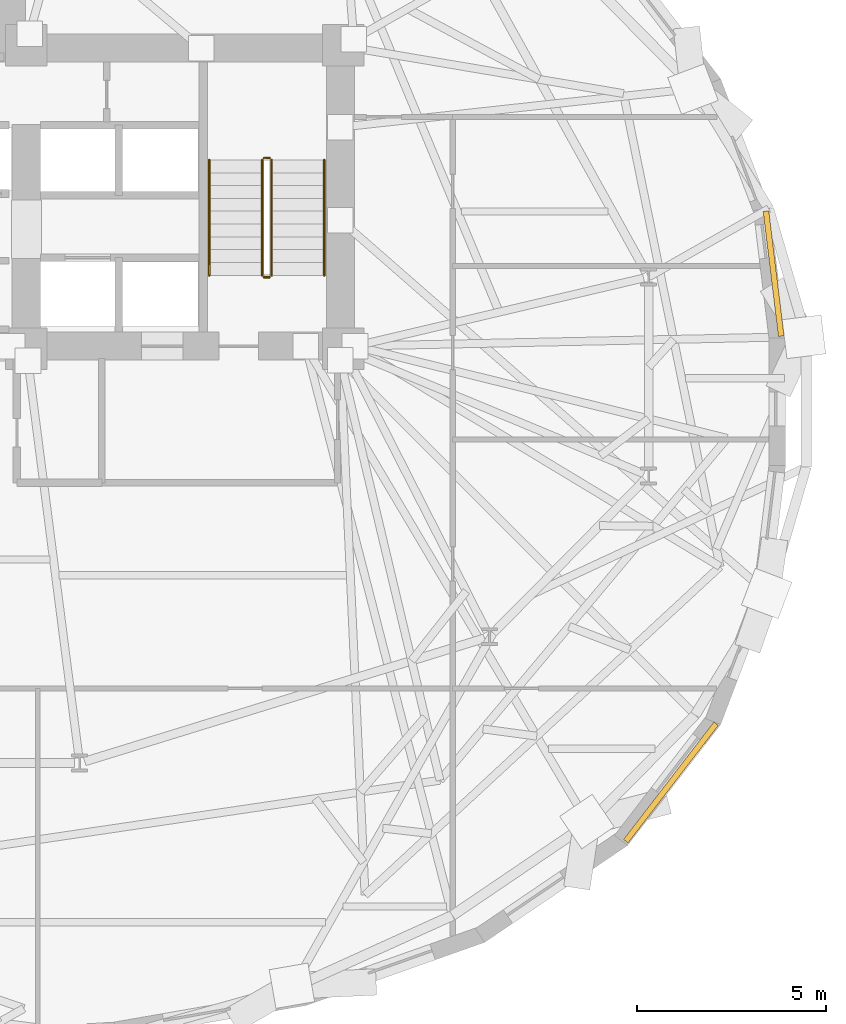
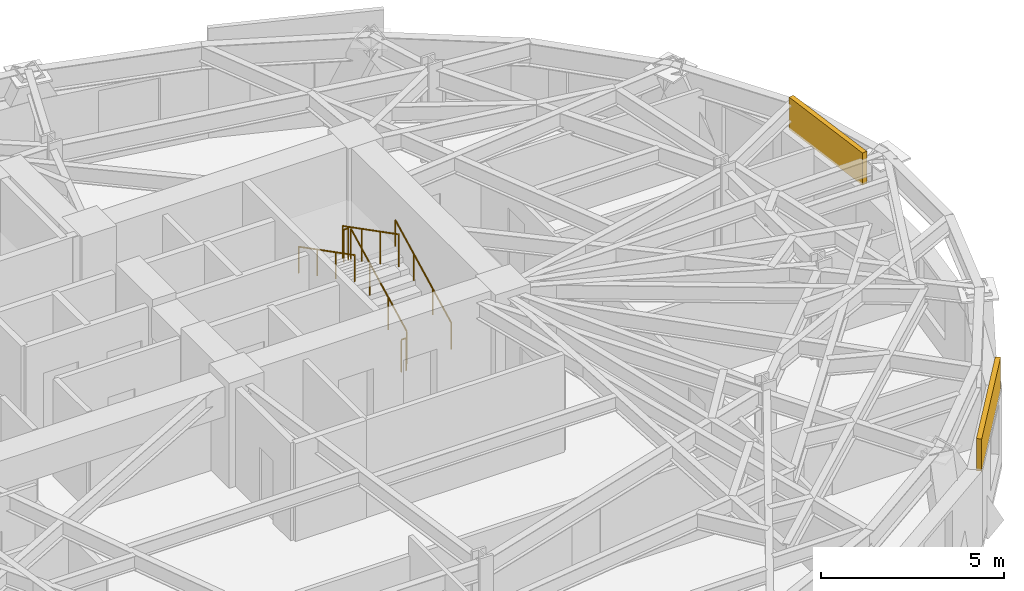
# One storey, part 12 of 13: 6 railings, 2 coverings.
"""IFC4 building model written with IfcOpenShell, lengths in metres."""

import ifcopenshell
import ifcopenshell.guid

model = None  # the IFC model being written
_history = None  # IfcOwnerHistory: only IFC2X3 demands one
_inside = {}  # id of a spatial element -> (the spatial element, [elements in it])
_under = {}  # id of a project, library or spatial element -> (it, [spatial elements below it])
_declared = {}  # id of a project -> (the project, [libraries it declares])
_typed = {}  # id of a type object -> (the type object, [elements of that type])
_made_of = {}  # id of a material, layer set ... -> (it, [elements and type objects made of it])


def new_model(schema):
    """Start an empty IFC model of exactly this schema.

    Asked for "IFC4X3", IfcOpenShell would pick the latest addendum, in which some entities
    have other attributes; the version numbers below select the first issue.
    IFC2X3 requires an IfcOwnerHistory on every rooted entity: one is made here for all.
    """
    global model, _history
    if schema == "IFC4X3":
        model = ifcopenshell.file(schema_version=(4, 3, 0, 0))
    else:
        model = ifcopenshell.file(schema=schema)
    _inside.clear()
    _under.clear()
    _declared.clear()
    _typed.clear()
    _made_of.clear()
    _history = None
    if model.schema == "IFC2X3":
        org = make("IfcOrganization", Name="unknown")
        user = make(
            "IfcPersonAndOrganization",
            ThePerson=make("IfcPerson", FamilyName="unknown"),
            TheOrganization=org,
        )
        app = make(
            "IfcApplication",
            ApplicationDeveloper=org,
            Version="unknown",
            ApplicationFullName="unknown",
            ApplicationIdentifier="unknown",
        )
        _history = make(
            "IfcOwnerHistory",
            OwningUser=user,
            OwningApplication=app,
            ChangeAction="ADDED",
            CreationDate=0,
        )
    return model


def make(cls, **values):
    """One entity of the class cls with the attributes given. An attribute that is None is left unset."""
    return model.create_entity(
        cls, **{name: value for name, value in values.items() if value is not None}
    )


def rooted(cls, **values):
    """An entity with a GlobalId (a new one), such as an element, a storey or a relation."""
    return make(cls, GlobalId=ifcopenshell.guid.new(), OwnerHistory=_history, **values)


def si_unit(unit_type, name, prefix=None):
    """IfcSIUnit, for example si_unit("LENGTHUNIT", "METRE", prefix="MILLI")."""
    return make("IfcSIUnit", UnitType=unit_type, Prefix=prefix, Name=name)


def assignment(units):
    """IfcUnitAssignment: the units of a project."""
    return None if units is None else make("IfcUnitAssignment", Units=units)


def point(xyz):
    """IfcCartesianPoint."""
    return None if xyz is None else make("IfcCartesianPoint", Coordinates=xyz)


def direction(xyz):
    """IfcDirection."""
    return None if xyz is None else make("IfcDirection", DirectionRatios=xyz)


def frame(location, z_axis=None, x_axis=None):
    """IfcAxis2Placement3D, a coordinate frame: its origin and axes. An axis left out is left unset."""
    return make(
        "IfcAxis2Placement3D",
        Location=point(location),
        Axis=direction(z_axis),
        RefDirection=direction(x_axis),
    )


def frame_2d(location, x_axis=None):
    """IfcAxis2Placement2D, a coordinate frame in the plane: its origin and x axis."""
    return make(
        "IfcAxis2Placement2D", Location=point(location), RefDirection=direction(x_axis)
    )


def origin():
    """The frame at (0, 0, 0) with its axes left unset."""
    return frame((0.0, 0.0, 0.0))


def origin_2d():
    """The frame at (0, 0) in the plane with its x axis left unset."""
    return frame_2d((0.0, 0.0))


def place(relative_to, where):
    """IfcLocalPlacement: puts the frame where relative to a parent placement (None: the world)."""
    return make(
        "IfcLocalPlacement", PlacementRelTo=relative_to, RelativePlacement=where
    )


def context(
    kind, dimensions, precision=None, world=None, true_north=None, identifier=None
):
    """IfcGeometricRepresentationContext, for example the 3D "Model" context."""
    return make(
        "IfcGeometricRepresentationContext",
        ContextIdentifier=identifier,
        ContextType=kind,
        CoordinateSpaceDimension=dimensions,
        Precision=precision,
        WorldCoordinateSystem=world,
        TrueNorth=true_north,
    )


def subcontext(parent, identifier, kind, view, scale=None):
    """IfcGeometricRepresentationSubContext, for example "Body" below "Model"."""
    return make(
        "IfcGeometricRepresentationSubContext",
        ContextIdentifier=identifier,
        ContextType=kind,
        ParentContext=parent,
        TargetScale=scale,
        TargetView=view,
    )


def project(units=None, contexts=None):
    """IfcProject with its units and contexts."""
    return rooted(
        "IfcProject",
        Name="project",
        RepresentationContexts=contexts,
        UnitsInContext=assignment(units),
    )


def spatial(cls, under=None, at=None, **own):
    """A site, building, storey or space (cls), placed at a placement, below another one or the project."""
    s = rooted(cls, ObjectPlacement=at, **own)
    if under is not None:
        _under.setdefault(under.id(), (under, []))[1].append(s)
    return s


def profile(cls, at=None, kind="AREA", **sizes):
    """A parametric profile (cls). Its sizes go by their IFC names, for example OverallWidth=200.0."""
    return make(cls, ProfileType=kind, Position=at, **sizes)


def rectangle(**sizes):
    """IfcRectangleProfileDef."""
    return profile("IfcRectangleProfileDef", **sizes)


def circle(**sizes):
    """IfcCircleProfileDef."""
    return profile("IfcCircleProfileDef", **sizes)


def extrude(swept, where, along, depth):
    """IfcExtrudedAreaSolid: the profile swept, set in the frame where, extruded along a direction by depth."""
    return make(
        "IfcExtrudedAreaSolid",
        SweptArea=swept,
        Position=where,
        ExtrudedDirection=direction(along),
        Depth=depth,
    )


def shape(context_of_items, identifier, shape_type, items):
    """IfcShapeRepresentation: the items that make up one representation, for example the "Body"."""
    return make(
        "IfcShapeRepresentation",
        ContextOfItems=context_of_items,
        RepresentationIdentifier=identifier,
        RepresentationType=shape_type,
        Items=items,
    )


def material(Name=None, Category=None):
    """IfcMaterial."""
    return make("IfcMaterial", Name=Name, Category=Category)


def layer(
    of_material, thickness, ventilated=None, Name=None, Category=None, Priority=None
):
    """IfcMaterialLayer: one layer of a wall or slab, of a material (None: an air gap)."""
    return make(
        "IfcMaterialLayer",
        Material=of_material,
        LayerThickness=thickness,
        IsVentilated=ventilated,
        Name=Name,
        Category=Category,
        Priority=Priority,
    )


def layer_set(layers, Name=None):
    """IfcMaterialLayerSet."""
    return make("IfcMaterialLayerSet", MaterialLayers=layers, LayerSetName=Name)


def made_of(thing, what):
    """Note that an element or type object is made of a material, layer set ...; save() writes the relation."""
    if what is not None:
        _made_of.setdefault(what.id(), (what, []))[1].append(thing)
    return thing


def type_object(cls, material=None, **own):
    """A type object (cls), such as IfcWallType, which elements share."""
    return made_of(rooted(cls, **own), material)


def element(
    cls,
    number,
    at=None,
    inside=None,
    cuts=None,
    type_object=None,
    material=None,
    context=None,
    identifier="Body",
    shape_type=None,
    held_by="IfcProductDefinitionShape",
    body=None,
    shapes=None,
    **own,
):
    """One element of the class cls, such as IfcWall. Its Tag is "e" and its number.

    at: its placement. inside: the storey or other place that contains it. cuts: it is an
    opening in that element (IfcRelVoidsElement). A single representation is given by context,
    identifier, shape_type and body (its items); several are given by shapes. held_by: the class
    of the entity that holds the representations. save() writes the other relations.
    """
    e = rooted(cls, Tag="e%d" % number, ObjectPlacement=at, **own)
    if body is not None:
        shapes = [shape(context, identifier, shape_type, body)]
    if shapes is not None:
        e.Representation = make(held_by, Representations=shapes)
    if inside is not None:
        _inside.setdefault(inside.id(), (inside, []))[1].append(e)
    if cuts is not None:
        rooted(
            "IfcRelVoidsElement", RelatingBuildingElement=cuts, RelatedOpeningElement=e
        )
    if type_object is not None:
        _typed.setdefault(type_object.id(), (type_object, []))[1].append(e)
    return made_of(e, material)


def aggregate(whole, parts):
    """IfcRelAggregates: a whole, such as a stair, and the parts it consists of."""
    return rooted("IfcRelAggregates", RelatingObject=whole, RelatedObjects=parts)


def save(model, path):
    """Write the relations noted so far, then the file.

    IfcRelAggregates (storeys below a building ...), IfcRelContainedInSpatialStructure (elements
    in a storey), IfcRelDefinesByType, IfcRelAssociatesMaterial and IfcRelDeclares: one each for
    every whole, place, type object, material and project.
    """
    for whole, parts in _under.values():
        aggregate(whole, parts)
    for where, things in _inside.values():
        rooted(
            "IfcRelContainedInSpatialStructure",
            RelatedElements=things,
            RelatingStructure=where,
        )
    for kind, things in _typed.values():
        rooted("IfcRelDefinesByType", RelatedObjects=things, RelatingType=kind)
    for what, things in _made_of.values():
        rooted("IfcRelAssociatesMaterial", RelatedObjects=things, RelatingMaterial=what)
    for by, libraries in _declared.values():
        rooted("IfcRelDeclares", RelatingContext=by, RelatedDefinitions=libraries)
    model.write(path)


model = new_model("IFC4")

# Units and contexts
model_context = context("Model", 3, precision=1e-05, world=origin(), true_north=direction((0.0, 1.0)))
body_context = subcontext(model_context, "Body", "Model", "MODEL_VIEW")
ifc_project = project(units=[si_unit("LENGTHUNIT", "METRE"), si_unit("AREAUNIT", "SQUARE_METRE"), si_unit("VOLUMEUNIT", "CUBIC_METRE"), si_unit("PLANEANGLEUNIT", "RADIAN"), si_unit("MASSUNIT", "GRAM", prefix="KILO")], contexts=[model_context])

# Site, building, storey
site_placement = place(None, origin())
site = spatial("IfcSite", under=ifc_project, at=site_placement, CompositionType="ELEMENT")
building_placement = place(site_placement, origin())
building = spatial("IfcBuilding", under=site, at=building_placement, Name="Keldmark Tower", CompositionType="ELEMENT")
storey_placement = place(building_placement, frame((0.0, 0.0, 131.60009765625)))
storey = spatial("IfcBuildingStorey", under=building, at=storey_placement, Name="L35", CompositionType="ELEMENT", Elevation=131.60009765625)

# Coverings
ifc_material_1 = material(Name="Honed Kasota Buff Dolomitic Limestone", Category="masonry")
ifc_layer = layer(ifc_material_1, 0.074951171875)
ifc_layer_set = layer_set([ifc_layer], Name="Honed Kasota Buff Dolomitic Limestone")
covering_type = type_object("IfcCoveringType", Name="Kasota Buff Limestone Spandrel Cladding Band", PredefinedType="CLADDING", material=ifc_layer_set)
covering_1_placement = place(storey_placement, frame((25.009521484375, 3.39404296875, 2.40185546875), z_axis=(0.0, 0.0, 1.0), x_axis=(-0.121124411626, 0.992637334029, 0.0)))
element("IfcCovering", 1, at=covering_1_placement, inside=storey, type_object=covering_type, Name="L35 Kasota Limestone Spandrel Band 01", PredefinedType="CLADDING", context=body_context, shape_type="SweptSolid", body=[
    extrude(rectangle(XDim=3.33740234375, YDim=0.14990234375, at=origin_2d()), origin(), (0.0, 0.0, 1.0), 1.077880859375),
])
covering_2_placement = place(storey_placement, frame((22.287841796875, -10.093017578125, 2.40185546875), z_axis=(0.0, 0.0, 1.0), x_axis=(0.609716404666, 0.792619647675, 0.0)))
element("IfcCovering", 2, at=covering_2_placement, inside=storey, type_object=covering_type, Name="L35 Kasota Limestone Spandrel Band 29", PredefinedType="CLADDING", context=body_context, shape_type="SweptSolid", body=[
    extrude(rectangle(XDim=3.927001953125, YDim=0.14990234375, at=origin_2d()), origin(), (0.0, 0.0, 1.0), 1.077880859375),
])

# Railings
ifc_material_2 = material(Name="Painted Steel ASTM A500 Grade B", Category="steel")
railing_type_1 = type_object("IfcRailingType", Name="Painted Steel Stair Well Guard 1100 mm", PredefinedType="GUARDRAIL", material=ifc_material_2)
railing_1_placement = place(storey_placement, frame((11.699951171875, 3.35009765625, 0.1748046875)))
element("IfcRailing", 3, at=railing_1_placement, inside=storey, type_object=railing_type_1, Name="L35 ST2 stair guard 1", PredefinedType="GUARDRAIL", context=body_context, shape_type="SweptSolid", body=[
    extrude(circle(Radius=0.02392578125, at=origin_2d()), frame((0.0, 0.0, 1.076171875), z_axis=(0.0, 0.889101422983, 0.457710235465), x_axis=(-1.0, 0.0, 0.0)), (0.0, 0.0, 1.0), 3.44140625),
    extrude(circle(Radius=0.02099609375, at=origin_2d()), origin(), (0.0, 0.0, 1.0), 1.052001953125),
    extrude(circle(Radius=0.02099609375, at=origin_2d()), frame((0.0, 1.02001953125, 0.525146484375)), (0.0, 0.0, 1.0), 1.052001953125),
    extrude(circle(Radius=0.02099609375, at=origin_2d()), frame((0.0, 2.039794921875, 1.050048828125)), (0.0, 0.0, 1.0), 1.052001953125),
    extrude(circle(Radius=0.02099609375, at=origin_2d()), frame((0.0, 3.059814453125, 1.5751953125)), (0.0, 0.0, 1.0), 1.052001953125),
])
railing_2_placement = place(storey_placement, frame((11.64990234375, 6.4599609375, 1.75)))
element("IfcRailing", 4, at=railing_2_placement, inside=storey, type_object=railing_type_1, Name="L35 ST2 stair guard 2", PredefinedType="GUARDRAIL", context=body_context, shape_type="SweptSolid", body=[
    extrude(circle(Radius=0.02392578125, at=origin_2d()), frame((0.0, 0.0, 1.076171875), z_axis=(-1.0, 0.0, 0.0), x_axis=(0.0, -1.0, 0.0)), (0.0, 0.0, 1.0), 0.14990234375),
    extrude(circle(Radius=0.02099609375, at=origin_2d()), origin(), (0.0, 0.0, 1.0), 1.052001953125),
    extrude(circle(Radius=0.02099609375, at=origin_2d()), frame((-0.14990234375, 0.0, 0.0)), (0.0, 0.0, 1.0), 1.052001953125),
])
railing_3_placement = place(storey_placement, frame((11.449951171875, 6.409912109375, 1.9248046875)))
element("IfcRailing", 5, at=railing_3_placement, inside=storey, type_object=railing_type_1, Name="L35 ST2 stair guard 3", PredefinedType="GUARDRAIL", context=body_context, shape_type="SweptSolid", body=[
    extrude(circle(Radius=0.02392578125, at=origin_2d()), frame((0.0, 0.0, 1.076171875), z_axis=(0.0, -0.889101422983, 0.457710235465), x_axis=(1.0, 0.0, 0.0)), (0.0, 0.0, 1.0), 3.44140625),
    extrude(circle(Radius=0.02099609375, at=origin_2d()), origin(), (0.0, 0.0, 1.0), 1.052001953125),
    extrude(circle(Radius=0.02099609375, at=origin_2d()), frame((0.0, -1.02001953125, 0.525146484375)), (0.0, 0.0, 1.0), 1.052001953125),
    extrude(circle(Radius=0.02099609375, at=origin_2d()), frame((0.0, -2.039794921875, 1.050048828125)), (0.0, 0.0, 1.0), 1.052001953125),
    extrude(circle(Radius=0.02099609375, at=origin_2d()), frame((0.0, -3.059814453125, 1.5751953125)), (0.0, 0.0, 1.0), 1.052001953125),
])
railing_4_placement = place(storey_placement, frame((11.64990234375, 3.300048828125, 0.0)))
element("IfcRailing", 6, at=railing_4_placement, inside=storey, type_object=railing_type_1, Name="L35 ST2 stair guard 4", PredefinedType="GUARDRAIL", context=body_context, shape_type="SweptSolid", body=[
    extrude(circle(Radius=0.02392578125, at=origin_2d()), frame((0.0, 0.0, 1.076171875), z_axis=(-1.0, 0.0, 0.0), x_axis=(0.0, -1.0, 0.0)), (0.0, 0.0, 1.0), 0.14990234375),
    extrude(circle(Radius=0.02099609375, at=origin_2d()), origin(), (0.0, 0.0, 1.0), 1.052001953125),
    extrude(circle(Radius=0.02099609375, at=origin_2d()), frame((-0.14990234375, 0.0, 0.0)), (0.0, 0.0, 1.0), 1.052001953125),
])
ifc_material_3 = material(Name="Stainless Steel AISI 316L", Category="steel")
railing_type_2 = type_object("IfcRailingType", Name="Stainless Steel Stair Handrail 900 mm", PredefinedType="HANDRAIL", material=ifc_material_3)
railing_5_placement = place(storey_placement, frame((13.10009765625, 3.35009765625, 0.1748046875)))
element("IfcRailing", 7, at=railing_5_placement, inside=storey, type_object=railing_type_2, Name="L35 ST2 stair handrail 1", PredefinedType="HANDRAIL", context=body_context, shape_type="SweptSolid", body=[
    extrude(circle(Radius=0.02392578125, at=origin_2d()), frame((0.0, 0.0, 0.8759765625), z_axis=(0.0, 0.889101422983, 0.457710235465), x_axis=(-1.0, 0.0, 0.0)), (0.0, 0.0, 1.0), 3.44140625),
    extrude(circle(Radius=0.02099609375, at=origin_2d()), origin(), (0.0, 0.0, 1.0), 0.851806640625),
    extrude(circle(Radius=0.02099609375, at=origin_2d()), frame((0.0, 1.02001953125, 0.525146484375)), (0.0, 0.0, 1.0), 0.851806640625),
    extrude(circle(Radius=0.02099609375, at=origin_2d()), frame((0.0, 2.039794921875, 1.050048828125)), (0.0, 0.0, 1.0), 0.851806640625),
    extrude(circle(Radius=0.02099609375, at=origin_2d()), frame((0.0, 3.059814453125, 1.5751953125)), (0.0, 0.0, 1.0), 0.851806640625),
])
railing_6_placement = place(storey_placement, frame((10.050048828125, 6.409912109375, 1.9248046875)))
element("IfcRailing", 8, at=railing_6_placement, inside=storey, type_object=railing_type_2, Name="L35 ST2 stair handrail 2", PredefinedType="HANDRAIL", context=body_context, shape_type="SweptSolid", body=[
    extrude(circle(Radius=0.02392578125, at=origin_2d()), frame((0.0, 0.0, 0.8759765625), z_axis=(0.0, -0.889101422983, 0.457710235465), x_axis=(1.0, 0.0, 0.0)), (0.0, 0.0, 1.0), 3.44140625),
    extrude(circle(Radius=0.02099609375, at=origin_2d()), origin(), (0.0, 0.0, 1.0), 0.851806640625),
    extrude(circle(Radius=0.02099609375, at=origin_2d()), frame((0.0, -1.02001953125, 0.525146484375)), (0.0, 0.0, 1.0), 0.851806640625),
    extrude(circle(Radius=0.02099609375, at=origin_2d()), frame((0.0, -2.039794921875, 1.050048828125)), (0.0, 0.0, 1.0), 0.851806640625),
    extrude(circle(Radius=0.02099609375, at=origin_2d()), frame((0.0, -3.059814453125, 1.5751953125)), (0.0, 0.0, 1.0), 0.851806640625),
])

save(model, "model.ifc")
